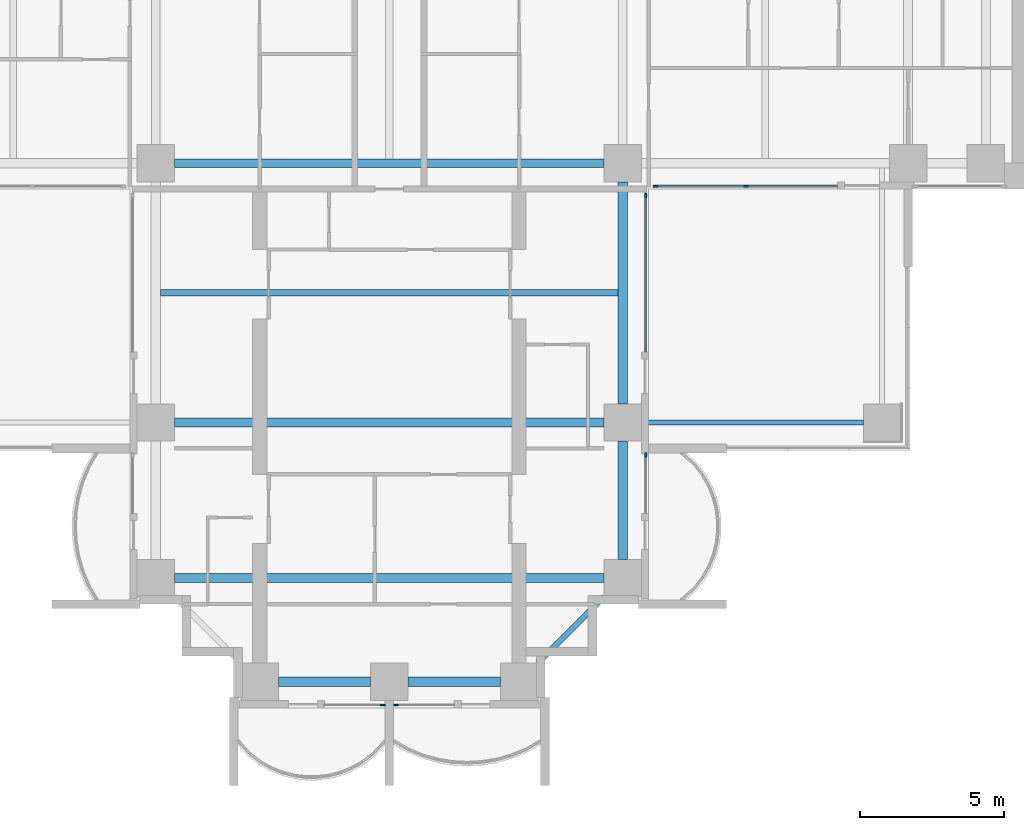
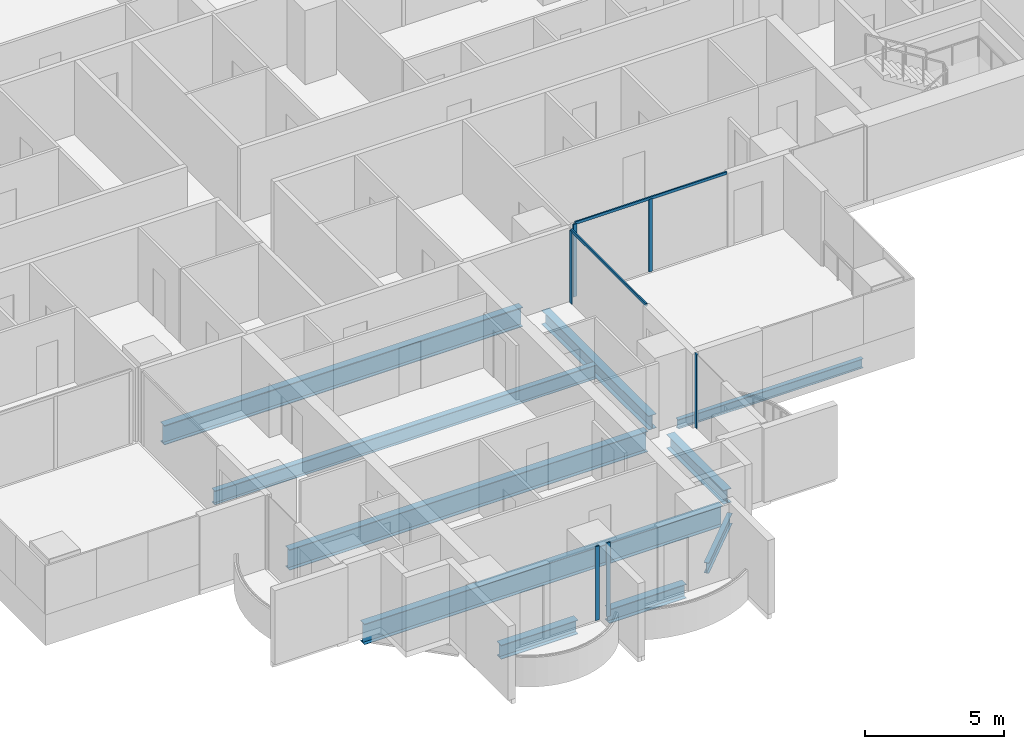
# One storey, part 3 of 21: 10 beams, 8 members, 5 elements without a shape of their own.
"""IFC4 building model written with IfcOpenShell, lengths in metres."""

from ifc_helpers import new_model, si_unit, direction, frame, origin, origin_2d, place, context, subcontext, project, spatial, rectangle, i_section, extrude, material, material_profile, profile_set, type_object, element, aggregate, save


model = new_model("IFC4")

# Units and contexts
model_context = context("Model", 3, precision=1e-05, world=origin(), true_north=direction((0.0, 1.0)))
body_context = subcontext(model_context, "Body", "Model", "MODEL_VIEW")
ifc_project = project(units=[si_unit("LENGTHUNIT", "METRE"), si_unit("AREAUNIT", "SQUARE_METRE"), si_unit("VOLUMEUNIT", "CUBIC_METRE"), si_unit("PLANEANGLEUNIT", "RADIAN"), si_unit("MASSUNIT", "GRAM", prefix="KILO")], contexts=[model_context])

# Site, building, storey
site_placement = place(None, origin())
site = spatial("IfcSite", under=ifc_project, at=site_placement, CompositionType="ELEMENT")
building_placement = place(site_placement, origin())
building = spatial("IfcBuilding", under=site, at=building_placement, Name="Perihelion Cross Residences", CompositionType="ELEMENT")
storey_placement = place(building_placement, frame((0.0, 0.0, 43.5)))
storey = spatial("IfcBuildingStorey", under=building, at=storey_placement, Name="L07", CompositionType="ELEMENT", Elevation=43.5)

# Curtain wall, member
ifc_material_1 = material(Name="Bronze anodised aluminium, tinted glazing", Category="aluminium")
curtain_wall_type = type_object("IfcCurtainWallType", Name="CW1", PredefinedType="NOTDEFINED", material=ifc_material_1)
curtain_wall_1_placement = place(storey_placement, origin())
curtain_wall_1 = element("IfcCurtainWall", 1, at=curtain_wall_1_placement, inside=storey, type_object=curtain_wall_type, Name="Curtain wall CW1 L07 south tip south bay 1", PredefinedType="NOTDEFINED")
ifc_material_2 = material(Name="Bronze anodised aluminium", Category="aluminium")
ifc_material_profile_1 = material_profile(ifc_material_2, rectangle(XDim=0.06005859375, YDim=0.159912109375, at=origin_2d()), Name="CW1 mullion")
ifc_profile_set_1 = profile_set([ifc_material_profile_1], Name="Bronze anodised aluminium")
member_type_1 = type_object("IfcMemberType", Name="CW1 mullion", PredefinedType="MULLION", material=ifc_profile_set_1)
member_1_placement = place(storey_placement, frame((-0.22998046875, -26.89990234375, 0.0), z_axis=(0.0, 0.0, 1.0), x_axis=(0.0, 1.0, 0.0)))
member_1 = element("IfcMember", 2, at=member_1_placement, type_object=member_type_1, Name="CW1 mullion 2", PredefinedType="MULLION", context=body_context, shape_type="SweptSolid", body=[
    extrude(rectangle(XDim=0.06005859375, YDim=0.159912109375, at=origin_2d()), origin(), (0.0, 0.0, 1.0), 3.25),
])
aggregate(curtain_wall_1, [member_1])

curtain_wall_2_placement = place(storey_placement, origin())
curtain_wall_2 = element("IfcCurtainWall", 3, at=curtain_wall_2_placement, inside=storey, type_object=curtain_wall_type, Name="Curtain wall CW1 L07 south tip south bay 2", PredefinedType="NOTDEFINED")
member_2_placement = place(storey_placement, frame((0.22998046875, -26.89990234375, 0.0), z_axis=(0.0, 0.0, 1.0), x_axis=(0.0, 1.0, 0.0)))
member_2 = element("IfcMember", 4, at=member_2_placement, type_object=member_type_1, Name="CW1 mullion 1", PredefinedType="MULLION", context=body_context, shape_type="SweptSolid", body=[
    extrude(rectangle(XDim=0.06005859375, YDim=0.159912109375, at=origin_2d()), origin(), (0.0, 0.0, 1.0), 3.25),
])
aggregate(curtain_wall_2, [member_2])

curtain_wall_3_placement = place(storey_placement, origin())
curtain_wall_3 = element("IfcCurtainWall", 5, at=curtain_wall_3_placement, inside=storey, type_object=curtain_wall_type, Name="Curtain wall CW1 L07 south side east bay 1", PredefinedType="NOTDEFINED")
member_3_placement = place(storey_placement, frame((8.89990234375, -18.22998046875, 0.0), z_axis=(0.0, 0.0, 1.0), x_axis=(-1.0, 0.0, 0.0)))
member_3 = element("IfcMember", 6, at=member_3_placement, type_object=member_type_1, Name="CW1 mullion 2", PredefinedType="MULLION", context=body_context, shape_type="SweptSolid", body=[
    extrude(rectangle(XDim=0.06005859375, YDim=0.159912109375, at=origin_2d()), origin(), (0.0, 0.0, 1.0), 3.25),
])
aggregate(curtain_wall_3, [member_3])

curtain_wall_4_placement = place(storey_placement, origin())
curtain_wall_4 = element("IfcCurtainWall", 7, at=curtain_wall_4_placement, inside=storey, type_object=curtain_wall_type, Name="Curtain wall CW1 L07 south side east bay 2", PredefinedType="NOTDEFINED")
member_4_placement = place(storey_placement, frame((8.89990234375, -9.22998046875, 0.0), z_axis=(0.0, 0.0, 1.0), x_axis=(-1.0, 0.0, 0.0)))
member_4 = element("IfcMember", 8, at=member_4_placement, type_object=member_type_1, Name="CW1 mullion 2", PredefinedType="MULLION", context=body_context, shape_type="SweptSolid", body=[
    extrude(rectangle(XDim=0.06005859375, YDim=0.159912109375, at=origin_2d()), origin(), (0.0, 0.0, 1.0), 3.18994140625),
])

# Curtain wall, members
curtain_wall_5_placement = place(storey_placement, origin())
curtain_wall_5 = element("IfcCurtainWall", 9, at=curtain_wall_5_placement, inside=storey, type_object=curtain_wall_type, Name="Curtain wall CW1 L07 east side south bay 1", PredefinedType="NOTDEFINED")
member_5_placement = place(storey_placement, frame((9.22998046875, -8.89990234375, 0.0), z_axis=(0.0, 0.0, 1.0), x_axis=(0.0, 1.0, 0.0)))
member_5 = element("IfcMember", 10, at=member_5_placement, type_object=member_type_1, Name="CW1 mullion 1", PredefinedType="MULLION", context=body_context, shape_type="SweptSolid", body=[
    extrude(rectangle(XDim=0.06005859375, YDim=0.159912109375, at=origin_2d()), origin(), (0.0, 0.0, 1.0), 3.18994140625),
])
member_6_placement = place(storey_placement, frame((12.375, -8.89990234375, 0.0), z_axis=(0.0, 0.0, 1.0), x_axis=(0.0, 1.0, 0.0)))
member_6 = element("IfcMember", 11, at=member_6_placement, type_object=member_type_1, Name="CW1 mullion 2", PredefinedType="MULLION", context=body_context, shape_type="SweptSolid", body=[
    extrude(rectangle(XDim=0.06005859375, YDim=0.159912109375, at=origin_2d()), origin(), (0.0, 0.0, 1.0), 3.18994140625),
])

# Member
ifc_material_3 = material(Name="Bronze anodised aluminium", Category="aluminium")
ifc_material_profile_2 = material_profile(ifc_material_3, rectangle(XDim=0.06005859375, YDim=0.1201171875, at=origin_2d()), Name="CW1 transom")
ifc_profile_set_2 = profile_set([ifc_material_profile_2], Name="Bronze anodised aluminium")
member_type_2 = type_object("IfcMemberType", Name="CW1 transom", PredefinedType="USERDEFINED", material=ifc_profile_set_2)
member_7_placement = place(storey_placement, frame((8.89990234375, -14.64990234375, 3.219970703125), z_axis=(0.0, 1.0, 0.0), x_axis=(-1.0, 0.0, 0.0)))
member_7 = element("IfcMember", 12, at=member_7_placement, type_object=member_type_2, Name="CW1 head transom", ObjectType="TRANSOM", PredefinedType="USERDEFINED", context=body_context, shape_type="SweptSolid", body=[
    extrude(rectangle(XDim=0.06005859375, YDim=0.1201171875, at=origin_2d()), origin(), (0.0, 0.0, 1.0), 5.419921875),
])

aggregate(curtain_wall_4, [member_4, member_7])

member_8_placement = place(storey_placement, frame((9.22998046875, -8.89990234375, 3.219970703125), z_axis=(1.0, 0.0, 0.0), x_axis=(0.0, 1.0, 0.0)))
member_8 = element("IfcMember", 13, at=member_8_placement, type_object=member_type_2, Name="CW1 head transom", ObjectType="TRANSOM", PredefinedType="USERDEFINED", context=body_context, shape_type="SweptSolid", body=[
    extrude(rectangle(XDim=0.06005859375, YDim=0.1201171875, at=origin_2d()), origin(), (0.0, 0.0, 1.0), 6.320068359375),
])

aggregate(curtain_wall_5, [member_5, member_6, member_8])

# Beams
ifc_material_4 = material(Name="Steel S355", Category="steel")
ifc_material_profile_3 = material_profile(ifc_material_4, i_section(OverallWidth=0.177978515625, OverallDepth=0.406005859375, WebThickness=0.0078125, FlangeThickness=0.0126953125, at=origin_2d()), Name="W410x60")
ifc_profile_set_3 = profile_set([ifc_material_profile_3], Name="Steel S355")
beam_type_1 = type_object("IfcBeamType", Name="Core edge beam W410x60", PredefinedType="BEAM", material=ifc_profile_set_3)
beam_1_placement = place(storey_placement, frame((8.75, -17.10009765625, -0.452880859375), z_axis=(1.0, 0.0, 0.0), x_axis=(0.0, 1.0, 0.0)))
element("IfcBeam", 14, at=beam_1_placement, inside=storey, type_object=beam_type_1, Name="Core edge beam TB2 L07 corner no. 6", PredefinedType="BEAM", context=body_context, shape_type="SweptSolid", body=[
    extrude(i_section(OverallWidth=0.177978515625, OverallDepth=0.406005859375, WebThickness=0.0078125, FlangeThickness=0.0126953125, at=origin_2d()), origin(), (0.0, 0.0, 1.0), 7.699951171875),
])
ifc_material_5 = material(Name="Steel S355", Category="steel")
ifc_material_profile_4 = material_profile(ifc_material_5, i_section(OverallWidth=0.324951171875, OverallDepth=0.616943359375, WebThickness=0.013916015625, FlangeThickness=0.021484375, at=origin_2d()), Name="W610x174")
ifc_profile_set_4 = profile_set([ifc_material_profile_4], Name="Steel S355")
beam_type_2 = type_object("IfcBeamType", Name="Edge beam W610x174", PredefinedType="SPANDREL", material=ifc_profile_set_4)
for number, where, z_axis, x_axis, name in (
    (15, (-3.85009765625, -26.10009765625, -0.55859375), (1.0, 0.0, 0.0), (0.0, 1.0, 0.0), "Edge beam SB2 L07 no. 4"),
    (16, (0.64990234375, -26.10009765625, -0.55859375), (1.0, 0.0, 0.0), (0.0, 1.0, 0.0), "Edge beam SB2 L07 no. 10"),
):
    element("IfcBeam", number, at=place(storey_placement, frame(where, z_axis=z_axis, x_axis=x_axis)), inside=storey, type_object=beam_type_2, Name=name, PredefinedType="SPANDREL", context=body_context, shape_type="SweptSolid", body=[
        extrude(i_section(OverallWidth=0.324951171875, OverallDepth=0.616943359375, WebThickness=0.013916015625, FlangeThickness=0.021484375, at=origin_2d()), origin(), (0.0, 0.0, 1.0), 3.2001953125),
    ])
beam_2_placement = place(storey_placement, frame((8.10009765625, -21.85009765625, -0.55859375), z_axis=(0.0, 1.0, 0.0), x_axis=(-1.0, 0.0, 0.0)))
element("IfcBeam", 17, at=beam_2_placement, inside=storey, type_object=beam_type_2, Name="Edge beam SB2 L07 no. 17", PredefinedType="SPANDREL", context=body_context, shape_type="SweptSolid", body=[
    extrude(i_section(OverallWidth=0.324951171875, OverallDepth=0.616943359375, WebThickness=0.013916015625, FlangeThickness=0.021484375, at=origin_2d()), origin(), (0.0, 0.0, 1.0), 4.10009765625),
])
beam_3_placement = place(storey_placement, frame((8.10009765625, -16.449951171875, -0.55859375), z_axis=(0.0, 1.0, 0.0), x_axis=(-1.0, 0.0, 0.0)))
element("IfcBeam", 18, at=beam_3_placement, inside=storey, type_object=beam_type_2, Name="Edge beam SB2 L07 no. 16", PredefinedType="SPANDREL", context=body_context, shape_type="SweptSolid", body=[
    extrude(i_section(OverallWidth=0.324951171875, OverallDepth=0.616943359375, WebThickness=0.013916015625, FlangeThickness=0.021484375, at=origin_2d()), origin(), (0.0, 0.0, 1.0), 7.699951171875),
])
ifc_material_6 = material(Name="Steel S355", Category="steel")
ifc_material_profile_5 = material_profile(ifc_material_6, i_section(OverallWidth=0.304931640625, OverallDepth=0.904052734375, WebThickness=0.01513671875, FlangeThickness=0.02001953125, at=origin_2d()), Name="W920x201")
ifc_profile_set_5 = profile_set([ifc_material_profile_5], Name="Steel S355")
beam_type_3 = type_object("IfcBeamType", Name="Floor girder W920x201", PredefinedType="BEAM", material=ifc_profile_set_5)
for number, where, z_axis, x_axis, name in (
    (19, (-7.449951171875, -17.10009765625, -0.701904296875), (1.0, 0.0, 0.0), (0.0, 1.0, 0.0), "Girder G2 L07 no. 3"),
    (20, (-7.449951171875, -22.5, -0.701904296875), (1.0, 0.0, 0.0), (0.0, 1.0, 0.0), "Girder G2 L07 no. 4"),
):
    element("IfcBeam", number, at=place(storey_placement, frame(where, z_axis=z_axis, x_axis=x_axis)), inside=storey, type_object=beam_type_3, Name=name, PredefinedType="BEAM", context=body_context, shape_type="SweptSolid", body=[
        extrude(i_section(OverallWidth=0.304931640625, OverallDepth=0.904052734375, WebThickness=0.01513671875, FlangeThickness=0.02001953125, at=origin_2d()), origin(), (0.0, 0.0, 1.0), 14.89990234375),
    ])
ifc_material_7 = material(Name="Steel S355", Category="steel")
ifc_material_profile_6 = material_profile(ifc_material_7, i_section(OverallWidth=0.22900390625, OverallDepth=0.612060546875, WebThickness=0.011962890625, FlangeThickness=0.01953125, at=origin_2d()), Name="W610x125")
ifc_profile_set_6 = profile_set([ifc_material_profile_6], Name="Steel S355")
beam_type_4 = type_object("IfcBeamType", Name="Floor joist W610x125", PredefinedType="JOIST", material=ifc_profile_set_6)
beam_4_placement = place(storey_placement, frame((-7.9375, -12.60009765625, -0.555908203125), z_axis=(1.0, 0.0, 0.0), x_axis=(0.0, 1.0, 0.0)))
element("IfcBeam", 21, at=beam_4_placement, inside=storey, type_object=beam_type_4, Name="Joist J3 L07 no. 3", PredefinedType="JOIST", context=body_context, shape_type="SweptSolid", body=[
    extrude(i_section(OverallWidth=0.22900390625, OverallDepth=0.612060546875, WebThickness=0.011962890625, FlangeThickness=0.01953125, at=origin_2d()), origin(), (0.0, 0.0, 1.0), 15.875),
])
ifc_material_8 = material(Name="Steel S355", Category="steel")
ifc_material_profile_7 = material_profile(ifc_material_8, i_section(OverallWidth=0.2919921875, OverallDepth=0.85888671875, WebThickness=0.01708984375, FlangeThickness=0.031005859375, at=origin_2d()), Name="W840x251")
ifc_profile_set_7 = profile_set([ifc_material_profile_7], Name="Steel S355")
beam_type_5 = type_object("IfcBeamType", Name="Hub ring girder W840x251", PredefinedType="BEAM", material=ifc_profile_set_7)
beam_5_placement = place(storey_placement, frame((-7.449951171875, -8.10009765625, -0.679443359375), z_axis=(1.0, 0.0, 0.0), x_axis=(0.0, 1.0, 0.0)))
element("IfcBeam", 22, at=beam_5_placement, inside=storey, type_object=beam_type_5, Name="Hub ring girder RG2 L07 no. 1", PredefinedType="BEAM", context=body_context, shape_type="SweptSolid", body=[
    extrude(i_section(OverallWidth=0.2919921875, OverallDepth=0.85888671875, WebThickness=0.01708984375, FlangeThickness=0.031005859375, at=origin_2d()), origin(), (0.0, 0.0, 1.0), 14.89990234375),
])
ifc_material_9 = material(Name="Steel S355", Category="steel")
ifc_material_profile_8 = material_profile(ifc_material_9, i_section(OverallWidth=0.194091796875, OverallDepth=0.469970703125, WebThickness=0.0126953125, FlangeThickness=0.0205078125, at=origin_2d()), Name="W460x106")
ifc_profile_set_8 = profile_set([ifc_material_profile_8], Name="Steel S355")
beam_type_6 = type_object("IfcBeamType", Name="Serration edge beam W460x106", PredefinedType="BEAM", material=ifc_profile_set_8)
beam_6_placement = place(storey_placement, frame((5.14990234375, -25.449951171875, -0.485107421875), z_axis=(0.707106781187, 0.707106781187, 0.0), x_axis=(-0.707106781187, 0.707106781187, 0.0)))
element("IfcBeam", 23, at=beam_6_placement, inside=storey, type_object=beam_type_6, Name="Serration edge beam EB2 L07 no. 3", PredefinedType="BEAM", context=body_context, shape_type="SweptSolid", body=[
    extrude(i_section(OverallWidth=0.194091796875, OverallDepth=0.469970703125, WebThickness=0.0126953125, FlangeThickness=0.0205078125, at=origin_2d()), origin(), (0.0, 0.0, 1.0), 3.252685546875),
])

save(model, "model.ifc")
